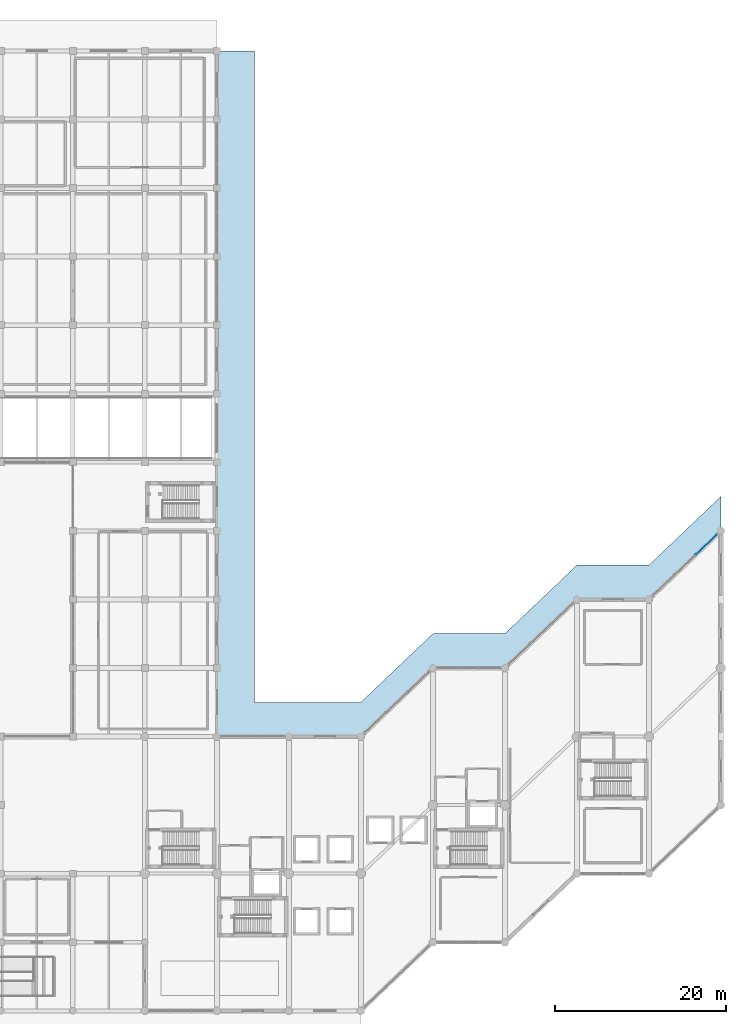
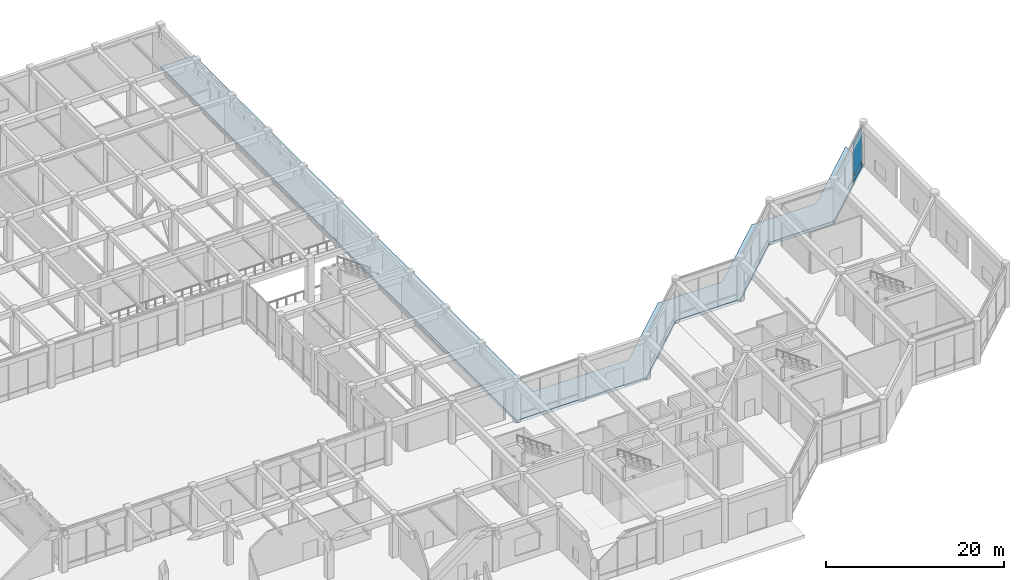
# One storey, part 48 of 76: 2 plates, 1 slab, 1 element without a shape of its own.
"""IFC4 building model written with IfcOpenShell, lengths in metres."""

from ifc_helpers import new_model, si_unit, direction, frame, origin, origin_2d, place, context, subcontext, project, spatial, polyline, rectangle, outline, extrude, material, layer, layer_set, type_object, element, aggregate, save


model = new_model("IFC4")

# Units and contexts
model_context = context("Model", 3, precision=1e-05, world=origin(), true_north=direction((0.0, 1.0)))
body_context = subcontext(model_context, "Body", "Model", "MODEL_VIEW")
ifc_project = project(units=[si_unit("LENGTHUNIT", "METRE"), si_unit("AREAUNIT", "SQUARE_METRE"), si_unit("VOLUMEUNIT", "CUBIC_METRE"), si_unit("PLANEANGLEUNIT", "RADIAN"), si_unit("MASSUNIT", "GRAM", prefix="KILO")], contexts=[model_context])

# Site, building, storey
site_placement = place(None, origin())
site = spatial("IfcSite", under=ifc_project, at=site_placement, CompositionType="ELEMENT")
building_placement = place(site_placement, origin())
building = spatial("IfcBuilding", under=site, at=building_placement, Name="Naruveol Harbour Congress Hotel", CompositionType="ELEMENT")
storey_placement = place(building_placement, origin())
storey = spatial("IfcBuildingStorey", under=building, at=storey_placement, Name="L00", CompositionType="ELEMENT", Elevation=0.0)

# Curtain wall, plates
ifc_material_1 = material(Name="Low-E Curtain Wall System", Category="glass")
ifc_layer_1 = layer(ifc_material_1, 0.179931640625)
ifc_layer_set_1 = layer_set([ifc_layer_1], Name="Low-E Curtain Wall System")
curtain_wall_type = type_object("IfcCurtainWallType", Name="UNITISED CURTAIN WALL CW-V5N-49 10357X5720", PredefinedType="USERDEFINED", material=ifc_layer_set_1)
curtain_wall_placement = place(storey_placement, origin())
curtain_wall = element("IfcCurtainWall", 1, at=curtain_wall_placement, inside=storey, type_object=curtain_wall_type, Name="Unitised curtain wall CW-V5N-49 L00", ObjectType="UNITISED GLAZING", PredefinedType="USERDEFINED")
ifc_material_2 = material(Name="Anodised Aluminium Spandrel", Category="aluminium")
ifc_layer_2 = layer(ifc_material_2, 0.054931640625)
ifc_layer_set_2 = layer_set([ifc_layer_2], Name="Anodised Aluminium Spandrel")
plate_type_1 = type_object("IfcPlateType", Name="INSULATED CERAMIC SPANDREL PANEL 55", PredefinedType="CURTAIN_PANEL", material=ifc_layer_set_2)
plate_1_placement = place(storey_placement, frame((183.093017578125, 54.387939453125, 0.0400390625), z_axis=(0.0, 0.0, 1.0), x_axis=(0.724183897459, 0.689606904447, 0.0)))
plate_1 = element("IfcPlate", 2, at=plate_1_placement, type_object=plate_type_1, Name="Curtain wall spandrel panel CW-L00-0135-PS2", PredefinedType="CURTAIN_PANEL", context=body_context, shape_type="SweptSolid", body=[
    extrude(rectangle(XDim=3.3720703125, YDim=0.054931640625, at=origin_2d()), origin(), (0.0, 0.0, 1.0), 0.77001953125),
])
ifc_material_3 = material(Name="Low-E Insulated Glass", Category="glass")
ifc_layer_3 = layer(ifc_material_3, 0.0419921875)
ifc_layer_set_3 = layer_set([ifc_layer_3], Name="Low-E Insulated Glass")
plate_type_2 = type_object("IfcPlateType", Name="LOW-E TRIPLE GLAZED CURTAIN PANEL 42", PredefinedType="CURTAIN_PANEL", material=ifc_layer_set_3)
plate_2_placement = place(storey_placement, frame((183.093017578125, 54.387939453125, 0.89013671875), z_axis=(0.0, 0.0, 1.0), x_axis=(0.724183897459, 0.689606904447, 0.0)))
plate_2 = element("IfcPlate", 3, at=plate_2_placement, type_object=plate_type_2, Name="Curtain wall vision panel CW-L00-0135-PG2", PredefinedType="CURTAIN_PANEL", context=body_context, shape_type="SweptSolid", body=[
    extrude(rectangle(XDim=3.3720703125, YDim=0.0419921875, at=origin_2d()), origin(), (0.0, 0.0, 1.0), 4.7099609375),
])
aggregate(curtain_wall, [plate_1, plate_2])

# Slab
ifc_material_4 = material(Name="Concrete C40/50", Category="concrete")
ifc_layer_4 = layer(ifc_material_4, 0.39990234375)
ifc_layer_set_4 = layer_set([ifc_layer_4], Name="Concrete C40/50")
slab_type = type_object("IfcSlabType", Name="RC PROMENADE PLINTH SLAB 400", PredefinedType="BASESLAB", material=ifc_layer_set_4)
slab_placement = place(storey_placement, frame((0.0, 0.0, -0.39990234375)))
element("IfcSlab", 4, at=slab_placement, inside=storey, type_object=slab_type, Name="Exterior East Harbour Quay & Ramp Approach Apron", PredefinedType="BASESLAB", context=body_context, shape_type="SweptSolid", body=[
    extrude(outline(polyline([(126.0, 32.0), (142.800048828125, 32.0), (151.199951171875, 40.0), (159.60009765625, 40.0), (168.0, 48.0), (176.39990234375, 48.0), (184.800048828125, 56.0), (184.800048828125, 60.0), (176.39990234375, 52.0), (168.0, 52.0), (159.60009765625, 44.0), (151.199951171875, 44.0), (142.800048828125, 36.0), (130.39990234375, 36.0), (130.39990234375, 112.0), (126.0, 112.0), (126.0, 32.0)])), origin(), (0.0, 0.0, 1.0), 0.39990234375),
])

save(model, "model.ifc")
